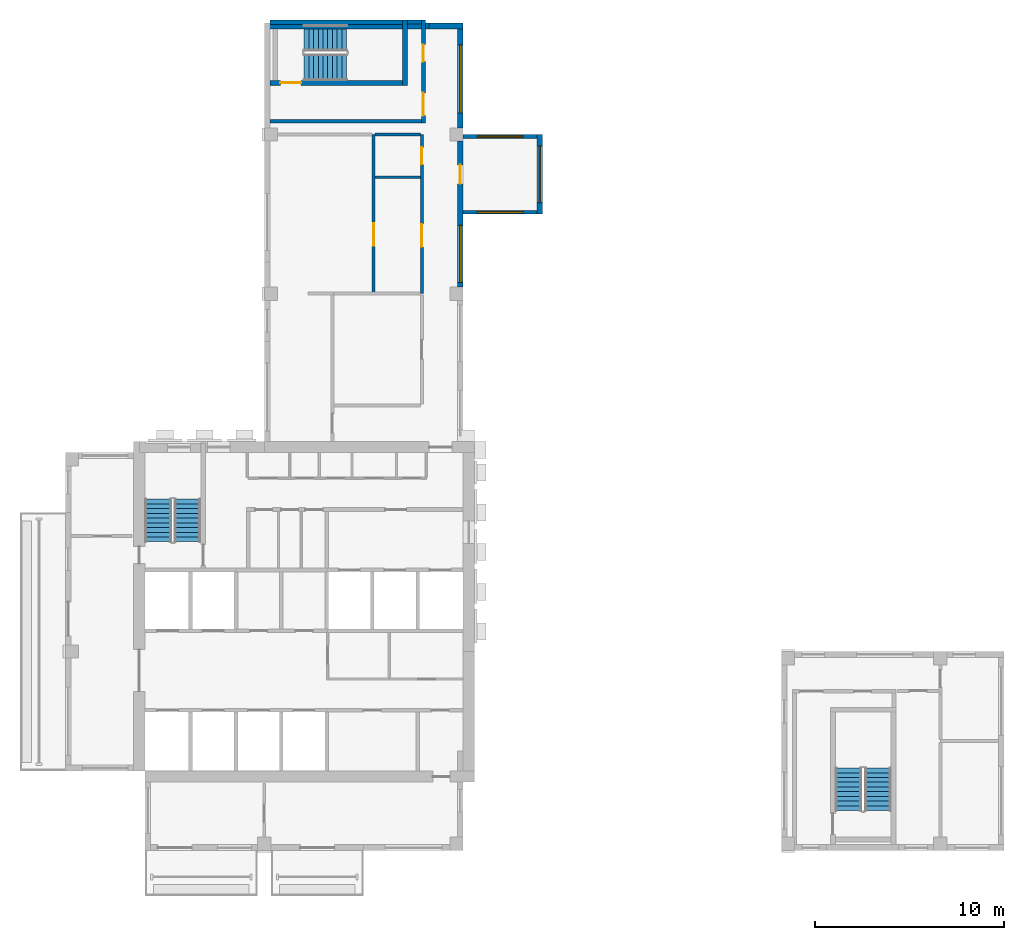
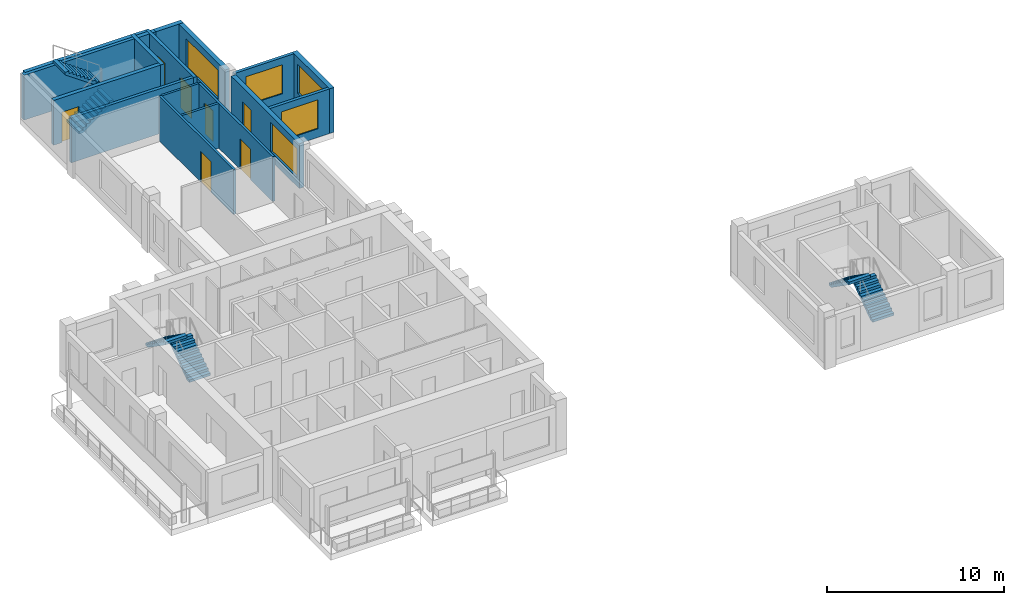
# One storey, part 5 of 9: 17 walls, 7 doors, 6 stair flights, 5 windows, 12 openings, 3 elements without a shape of their own.
"""IFC4 building model written with IfcOpenShell, lengths in metres."""

from ifc_helpers import new_model, si_unit, direction, frame, frame_2d, origin, place, context, subcontext, project, spatial, polyline, rectangle, outline, extrude, source, transform, mapped, material, layer, layer_set, type_object, element, fill, aggregate, save


model = new_model("IFC4")

# Units and contexts
model_context = context("Model", 3, precision=1e-05, world=origin(), true_north=direction((0.0, 1.0)))
body_context = subcontext(model_context, "Body", "Model", "MODEL_VIEW")
ifc_project = project(units=[si_unit("LENGTHUNIT", "METRE"), si_unit("AREAUNIT", "SQUARE_METRE"), si_unit("VOLUMEUNIT", "CUBIC_METRE"), si_unit("PLANEANGLEUNIT", "RADIAN"), si_unit("MASSUNIT", "GRAM", prefix="KILO")], contexts=[model_context])

# Site, building, storey
site_placement = place(None, origin())
site = spatial("IfcSite", under=ifc_project, at=site_placement, CompositionType="ELEMENT")
building_placement = place(site_placement, origin())
building = spatial("IfcBuilding", under=site, at=building_placement, Name="Aurelian Terraces", CompositionType="ELEMENT")
storey_placement = place(building_placement, frame((0.0, 0.0, 298.5)))
storey = spatial("IfcBuildingStorey", under=building, at=storey_placement, Name="L68", CompositionType="ELEMENT", Elevation=298.5)

# Wall, opening, window
ifc_material_1 = material(Name="Concrete fc' 40 MPa", Category="concrete")
ifc_layer_1 = layer(ifc_material_1, 0.3)
ifc_layer_set_1 = layer_set([ifc_layer_1], Name="BOX BEARING WALL 300")
wall_type_1 = type_object("IfcWallType", Name="BOX BEARING WALL 300", PredefinedType="SOLIDWALL", material=ifc_layer_set_1)
wall_1_placement = place(storey_placement, frame((25.05, 33.6, 0.0), z_axis=(0.0, 0.0, 1.0), x_axis=(0.0, 1.0, 0.0)))
wall_1 = element("IfcWall", 1, at=wall_1_placement, inside=storey, type_object=wall_type_1, Name="Box wall L68 J90", PredefinedType="SOLIDWALL", context=body_context, shape_type="SweptSolid", body=[
    extrude(rectangle(XDim=4.2, YDim=0.3, at=frame_2d((2.1, 0.0))), origin(), (0.0, 0.0, 1.0), 3.09),
])
shared_shape_1 = source(origin(), body_context, "Body", "SweptSolid", [
    extrude(rectangle(XDim=3.0, YDim=2.0, at=frame_2d((1.5, 1.0))), frame((0.0, 0.16, 0.0), z_axis=(0.0, -1.0, 0.0), x_axis=(1.0, 0.0, 0.0)), (0.0, 0.0, 1.0), 0.32),
])
opening_1_placement = place(wall_1_placement, frame((0.6, 0.0, 0.6)))
opening_1 = element("IfcOpeningElement", 2, at=opening_1_placement, cuts=wall_1, Name="Opening W3020", PredefinedType="OPENING", context=body_context, shape_type="MappedRepresentation", body=[
    mapped(shared_shape_1, transform((0.0, 0.0, 0.0), scale=1.0)),
])
ifc_material_2 = material(Name="Clear glazing", Category="glass")
window_type_1 = type_object("IfcWindowType", Name="W-3000x2000", PartitioningType="SINGLE_PANEL", PredefinedType="WINDOW", material=ifc_material_2)
shared_shape_2 = source(origin(), body_context, "Body", "SweptSolid", [
    extrude(rectangle(XDim=3.0, YDim=2.0, at=frame_2d((1.5, 1.0))), frame((0.0, 0.03, 0.0), z_axis=(0.0, -1.0, 0.0), x_axis=(1.0, 0.0, 0.0)), (0.0, 0.0, 1.0), 0.06),
])
window_1_placement = place(opening_1_placement, origin())
window_1 = element("IfcWindow", 3, at=window_1_placement, inside=storey, type_object=window_type_1, Name="Window L68 J90-F1", OverallHeight=2.0, OverallWidth=3.0, PartitioningType="SINGLE_PANEL", PredefinedType="WINDOW", context=body_context, shape_type="MappedRepresentation", body=[
    mapped(shared_shape_2, transform((0.0, 0.0, 0.0), scale=1.0)),
])
fill(opening_1, window_1)

# Wall, openings, window, door
ifc_material_3 = material(Name="Terracotta rainscreen cladding", Category="masonry")
ifc_layer_2 = layer(ifc_material_3, 0.3)
ifc_layer_set_2 = layer_set([ifc_layer_2], Name="EW-300")
wall_type_2 = type_object("IfcWallType", Name="EW-300", PredefinedType="STANDARD", material=ifc_layer_set_2)
shared_shape_3 = source(origin(), body_context, "Body", "SweptSolid", [
    extrude(rectangle(XDim=7.7, YDim=0.3, at=frame_2d((3.85, 0.0))), origin(), (0.0, 0.0, 1.0), 3.1),
])
wall_2_placement = place(storey_placement, frame((20.85, 29.75, 0.0), z_axis=(0.0, 0.0, 1.0), x_axis=(0.0, 1.0, 0.0)))
wall_2 = element("IfcWall", 4, at=wall_2_placement, inside=storey, type_object=wall_type_2, Name="External wall L68 F02.8", PredefinedType="STANDARD", context=body_context, shape_type="MappedRepresentation", body=[
    mapped(shared_shape_3, transform((0.0, 0.0, 0.0), scale=1.0)),
])
opening_2_placement = place(wall_2_placement, frame((0.25, 0.0, 0.6)))
opening_2 = element("IfcOpeningElement", 5, at=opening_2_placement, cuts=wall_2, Name="Opening W3020", PredefinedType="OPENING", context=body_context, shape_type="MappedRepresentation", body=[
    mapped(shared_shape_1, transform((0.0, 0.0, 0.0), scale=1.0)),
])
shared_shape_4 = source(origin(), body_context, "Body", "SweptSolid", [
    extrude(rectangle(XDim=1.0, YDim=2.1, at=frame_2d((0.5, 1.05))), frame((0.0, 0.16, 0.0), z_axis=(0.0, -1.0, 0.0), x_axis=(1.0, 0.0, 0.0)), (0.0, 0.0, 1.0), 0.32),
])
opening_3_placement = place(wall_2_placement, frame((5.45, 0.0, 0.0)))
opening_3 = element("IfcOpeningElement", 6, at=opening_3_placement, cuts=wall_2, Name="Opening 868001", PredefinedType="OPENING", context=body_context, shape_type="MappedRepresentation", body=[
    mapped(shared_shape_4, transform((0.0, 0.0, 0.0), scale=1.0)),
])
window_2_placement = place(opening_2_placement, origin())
window_2 = element("IfcWindow", 7, at=window_2_placement, inside=storey, type_object=window_type_1, Name="Window L68 L68-F02-08-0", OverallHeight=2.0, OverallWidth=3.0, PartitioningType="SINGLE_PANEL", PredefinedType="WINDOW", context=body_context, shape_type="MappedRepresentation", body=[
    mapped(shared_shape_2, transform((0.0, 0.0, 0.0), scale=1.0)),
])
fill(opening_2, window_2)
ifc_material_4 = material(Name="Timber door leaf", Category="wood")
door_type_1 = type_object("IfcDoorType", Name="Room door 1000x2100 left", OperationType="SINGLE_SWING_LEFT", PredefinedType="DOOR", material=ifc_material_4)
shared_shape_5 = source(origin(), body_context, "Body", "SweptSolid", [
    extrude(rectangle(XDim=1.0, YDim=2.1, at=frame_2d((0.5, 1.05))), frame((0.0, 0.025, 0.0), z_axis=(0.0, -1.0, 0.0), x_axis=(1.0, 0.0, 0.0)), (0.0, 0.0, 1.0), 0.05),
])
door_1_placement = place(opening_3_placement, origin())
door_1 = element("IfcDoor", 8, at=door_1_placement, inside=storey, type_object=door_type_1, Name="Door 868001", OperationType="SINGLE_SWING_LEFT", OverallHeight=2.1, OverallWidth=1.0, PredefinedType="DOOR", context=body_context, shape_type="MappedRepresentation", body=[
    mapped(shared_shape_5, transform((0.0, 0.0, 0.0), scale=1.0)),
])
fill(opening_3, door_1)

# Wall, opening, window
ifc_layer_3 = layer(ifc_material_1, 0.2)
ifc_layer_set_3 = layer_set([ifc_layer_3], Name="BOX BEARING WALL 200")
wall_type_3 = type_object("IfcWallType", Name="BOX BEARING WALL 200", PredefinedType="SOLIDWALL", material=ifc_layer_set_3)
shared_shape_6 = source(origin(), body_context, "Body", "SweptSolid", [
    extrude(rectangle(XDim=3.9, YDim=0.2, at=frame_2d((1.95, 0.0))), origin(), (0.0, 0.0, 1.0), 3.09),
])
wall_3_placement = place(storey_placement, frame((21.0, 33.7, 0.0), z_axis=(0.0, 0.0, 1.0), x_axis=(1.0, 0.0, 0.0)))
wall_3 = element("IfcWall", 9, at=wall_3_placement, inside=storey, type_object=wall_type_3, Name="Box return L68 J90.1", PredefinedType="SOLIDWALL", context=body_context, shape_type="MappedRepresentation", body=[
    mapped(shared_shape_6, transform((0.0, 0.0, 0.0), scale=1.0)),
])
shared_shape_7 = source(origin(), body_context, "Body", "SweptSolid", [
    extrude(rectangle(XDim=2.4, YDim=2.0, at=frame_2d((1.2, 1.0))), frame((0.0, 0.11, 0.0), z_axis=(0.0, -1.0, 0.0), x_axis=(1.0, 0.0, 0.0)), (0.0, 0.0, 1.0), 0.22),
])
opening_4_placement = place(wall_3_placement, frame((0.75, 0.0, 0.6)))
opening_4 = element("IfcOpeningElement", 10, at=opening_4_placement, cuts=wall_3, Name="Opening W2420", PredefinedType="OPENING", context=body_context, shape_type="MappedRepresentation", body=[
    mapped(shared_shape_7, transform((0.0, 0.0, 0.0), scale=1.0)),
])
window_type_2 = type_object("IfcWindowType", Name="W-2400x2000", PartitioningType="SINGLE_PANEL", PredefinedType="WINDOW", material=ifc_material_2)
shared_shape_8 = source(origin(), body_context, "Body", "SweptSolid", [
    extrude(rectangle(XDim=2.4, YDim=2.0, at=frame_2d((1.2, 1.0))), frame((0.0, 0.03, 0.0), z_axis=(0.0, -1.0, 0.0), x_axis=(1.0, 0.0, 0.0)), (0.0, 0.0, 1.0), 0.06),
])
window_3_placement = place(opening_4_placement, origin())
window_3 = element("IfcWindow", 11, at=window_3_placement, inside=storey, type_object=window_type_2, Name="Window L68 J90-S1", OverallHeight=2.0, OverallWidth=2.4, PartitioningType="SINGLE_PANEL", PredefinedType="WINDOW", context=body_context, shape_type="MappedRepresentation", body=[
    mapped(shared_shape_8, transform((0.0, 0.0, 0.0), scale=1.0)),
])
fill(opening_4, window_3)

wall_4_placement = place(storey_placement, frame((21.0, 37.7, 0.0), z_axis=(0.0, 0.0, 1.0), x_axis=(1.0, 0.0, 0.0)))
wall_4 = element("IfcWall", 12, at=wall_4_placement, inside=storey, type_object=wall_type_3, Name="Box return L68 J90.2", PredefinedType="SOLIDWALL", context=body_context, shape_type="MappedRepresentation", body=[
    mapped(shared_shape_6, transform((0.0, 0.0, 0.0), scale=1.0)),
])
opening_5_placement = place(wall_4_placement, frame((0.75, 0.0, 0.6)))
opening_5 = element("IfcOpeningElement", 13, at=opening_5_placement, cuts=wall_4, Name="Opening W2420", PredefinedType="OPENING", context=body_context, shape_type="MappedRepresentation", body=[
    mapped(shared_shape_7, transform((0.0, 0.0, 0.0), scale=1.0)),
])
window_4_placement = place(opening_5_placement, origin())
window_4 = element("IfcWindow", 14, at=window_4_placement, inside=storey, type_object=window_type_2, Name="Window L68 J90-S2", OverallHeight=2.0, OverallWidth=2.4, PartitioningType="SINGLE_PANEL", PredefinedType="WINDOW", context=body_context, shape_type="MappedRepresentation", body=[
    mapped(shared_shape_8, transform((0.0, 0.0, 0.0), scale=1.0)),
])
fill(opening_5, window_4)

shared_shape_9 = source(origin(), body_context, "Body", "SweptSolid", [
    extrude(rectangle(XDim=5.53, YDim=0.3, at=frame_2d((2.765, 0.0))), origin(), (0.0, 0.0, 1.0), 3.1),
])
wall_5_placement = place(storey_placement, frame((20.85, 38.15, 0.0), z_axis=(0.0, 0.0, 1.0), x_axis=(0.0, 1.0, 0.0)))
wall_5 = element("IfcWall", 15, at=wall_5_placement, inside=storey, type_object=wall_type_2, Name="External wall L68 F02.9", PredefinedType="STANDARD", context=body_context, shape_type="MappedRepresentation", body=[
    mapped(shared_shape_9, transform((0.0, 0.0, 0.0), scale=1.0)),
])
shared_shape_10 = source(origin(), body_context, "Body", "SweptSolid", [
    extrude(rectangle(XDim=3.6, YDim=2.0, at=frame_2d((1.8, 1.0))), frame((0.0, 0.16, 0.0), z_axis=(0.0, -1.0, 0.0), x_axis=(1.0, 0.0, 0.0)), (0.0, 0.0, 1.0), 0.32),
])
opening_6_placement = place(wall_5_placement, frame((0.79, 0.0, 0.6)))
opening_6 = element("IfcOpeningElement", 16, at=opening_6_placement, cuts=wall_5, Name="Opening W3620", PredefinedType="OPENING", context=body_context, shape_type="MappedRepresentation", body=[
    mapped(shared_shape_10, transform((0.0, 0.0, 0.0), scale=1.0)),
])
window_type_3 = type_object("IfcWindowType", Name="W-3600x2000", PartitioningType="SINGLE_PANEL", PredefinedType="WINDOW", material=ifc_material_2)
shared_shape_11 = source(origin(), body_context, "Body", "SweptSolid", [
    extrude(rectangle(XDim=3.6, YDim=2.0, at=frame_2d((1.8, 1.0))), frame((0.0, 0.03, 0.0), z_axis=(0.0, -1.0, 0.0), x_axis=(1.0, 0.0, 0.0)), (0.0, 0.0, 1.0), 0.06),
])
window_5_placement = place(opening_6_placement, origin())
window_5 = element("IfcWindow", 17, at=window_5_placement, inside=storey, type_object=window_type_3, Name="Window L68 L68-F02-09-0", OverallHeight=2.0, OverallWidth=3.6, PartitioningType="SINGLE_PANEL", PredefinedType="WINDOW", context=body_context, shape_type="MappedRepresentation", body=[
    mapped(shared_shape_11, transform((0.0, 0.0, 0.0), scale=1.0)),
])
fill(opening_6, window_5)

# Walls
shared_shape_12 = source(origin(), body_context, "Body", "SweptSolid", [
    extrude(rectangle(XDim=1.8, YDim=0.3, at=frame_2d((0.9, 0.0))), origin(), (0.0, 0.0, 1.0), 3.1),
])
wall_6_placement = place(storey_placement, frame((21.0, 43.53, 0.0), z_axis=(0.0, 0.0, 1.0), x_axis=(-1.0, 0.0, 0.0)))
element("IfcWall", 18, at=wall_6_placement, inside=storey, type_object=wall_type_2, Name="External wall L68 F03.10", PredefinedType="STANDARD", context=body_context, shape_type="MappedRepresentation", body=[
    mapped(shared_shape_12, transform((0.0, 0.0, 0.0), scale=1.0)),
])
ifc_layer_4 = layer(ifc_material_1, 0.3)
ifc_layer_set_4 = layer_set([ifc_layer_4], Name="STAIR BAY WALL 300")
wall_type_4 = type_object("IfcWallType", Name="STAIR BAY WALL 300", PredefinedType="SOLIDWALL", material=ifc_layer_set_4)
shared_shape_13 = source(origin(), body_context, "Body", "SweptSolid", [
    extrude(rectangle(XDim=8.6, YDim=0.3, at=frame_2d((4.3, 0.0))), origin(), (0.0, 0.0, 1.0), 3.1),
])
wall_7_placement = place(storey_placement, frame((19.2, 43.53, 0.0), z_axis=(0.0, 0.0, 1.0), x_axis=(-1.0, 0.0, 0.0)))
element("IfcWall", 19, at=wall_7_placement, inside=storey, type_object=wall_type_4, Name="Stair bay wall L68 F03.10", PredefinedType="SOLIDWALL", context=body_context, shape_type="MappedRepresentation", body=[
    mapped(shared_shape_13, transform((0.0, 0.0, 0.0), scale=1.0)),
])

# Wall, opening, door
ifc_layer_5 = layer(ifc_material_1, 0.25)
ifc_layer_set_5 = layer_set([ifc_layer_5], Name="Stair enclosure wall 250")
wall_type_5 = type_object("IfcWallType", Name="Stair enclosure wall 250", PredefinedType="SOLIDWALL", material=ifc_layer_set_5)
shared_shape_14 = source(origin(), body_context, "Body", "SweptSolid", [
    extrude(rectangle(XDim=7.0, YDim=0.25, at=frame_2d((3.5, 0.0))), origin(), (0.0, 0.0, 1.0), 3.1),
])
wall_8_placement = place(storey_placement, frame((10.8, 40.525, 0.0), z_axis=(0.0, 0.0, 1.0), x_axis=(1.0, 0.0, 0.0)))
wall_8 = element("IfcWall", 20, at=wall_8_placement, inside=storey, type_object=wall_type_5, Name="L68 core wall ST-S3U-W", PredefinedType="SOLIDWALL", context=body_context, shape_type="MappedRepresentation", body=[
    mapped(shared_shape_14, transform((0.0, 0.0, 0.0), scale=1.0)),
])
shared_shape_15 = source(origin(), body_context, "Body", "SweptSolid", [
    extrude(rectangle(XDim=1.1, YDim=2.1, at=frame_2d((0.55, 1.05))), frame((0.0, 0.135, 0.0), z_axis=(0.0, -1.0, 0.0), x_axis=(1.0, 0.0, 0.0)), (0.0, 0.0, 1.0), 0.27),
])
opening_7_placement = place(wall_8_placement, frame((0.55, 0.0, 0.0)))
opening_7 = element("IfcOpeningElement", 21, at=opening_7_placement, cuts=wall_8, Name="Opening 67128", PredefinedType="OPENING", context=body_context, shape_type="MappedRepresentation", body=[
    mapped(shared_shape_15, transform((0.0, 0.0, 0.0), scale=1.0)),
])
ifc_material_5 = material(Name="Steel door leaf", Category="steel")
door_type_2 = type_object("IfcDoorType", Name="Core fire door 1100x2100 right", OperationType="SINGLE_SWING_RIGHT", PredefinedType="DOOR", material=ifc_material_5)
shared_shape_16 = source(origin(), body_context, "Body", "SweptSolid", [
    extrude(rectangle(XDim=1.1, YDim=2.1, at=frame_2d((0.55, 1.05))), frame((0.0, 0.025, 0.0), z_axis=(0.0, -1.0, 0.0), x_axis=(1.0, 0.0, 0.0)), (0.0, 0.0, 1.0), 0.05),
])
door_2_placement = place(opening_7_placement, origin())
door_2 = element("IfcDoor", 22, at=door_2_placement, inside=storey, type_object=door_type_2, Name="Stair door 67128", OperationType="SINGLE_SWING_RIGHT", OverallHeight=2.1, OverallWidth=1.1, PredefinedType="DOOR", context=body_context, shape_type="MappedRepresentation", body=[
    mapped(shared_shape_16, transform((0.0, 0.0, 0.0), scale=1.0)),
])
fill(opening_7, door_2)

# Walls
wall_9_placement = place(storey_placement, frame((10.8, 43.725, 0.0), z_axis=(0.0, 0.0, 1.0), x_axis=(1.0, 0.0, 0.0)))
element("IfcWall", 23, at=wall_9_placement, inside=storey, type_object=wall_type_5, Name="L68 core wall ST-S3U-E", PredefinedType="SOLIDWALL", context=body_context, shape_type="MappedRepresentation", body=[
    mapped(shared_shape_14, transform((0.0, 0.0, 0.0), scale=1.0)),
])
shared_shape_17 = source(origin(), body_context, "Body", "SweptSolid", [
    extrude(rectangle(XDim=3.45, YDim=0.25, at=frame_2d((1.725, 0.0))), origin(), (0.0, 0.0, 1.0), 3.1),
])
wall_10_placement = place(storey_placement, frame((17.925, 40.4, 0.0), z_axis=(0.0, 0.0, 1.0), x_axis=(0.0, 1.0, 0.0)))
element("IfcWall", 24, at=wall_10_placement, inside=storey, type_object=wall_type_5, Name="L68 core wall ST-S3U-N", PredefinedType="SOLIDWALL", context=body_context, shape_type="MappedRepresentation", body=[
    mapped(shared_shape_17, transform((0.0, 0.0, 0.0), scale=1.0)),
])
ifc_material_6 = material(Name="Gypsum board on steel studs", Category="steel")
ifc_layer_6 = layer(ifc_material_6, 0.2)
ifc_layer_set_6 = layer_set([ifc_layer_6], Name="Core partition 200")
wall_type_6 = type_object("IfcWallType", Name="Core partition 200", PredefinedType="PARTITIONING", material=ifc_layer_set_6)
shared_shape_18 = source(origin(), body_context, "Body", "SweptSolid", [
    extrude(rectangle(XDim=8.0, YDim=0.2, at=frame_2d((4.0, 0.0))), origin(), (0.0, 0.0, 1.0), 3.1),
])
wall_11_placement = place(storey_placement, frame((10.8, 38.5, 0.0), z_axis=(0.0, 0.0, 1.0), x_axis=(1.0, 0.0, 0.0)))
element("IfcWall", 25, at=wall_11_placement, inside=storey, type_object=wall_type_6, Name="L68 core wall ST-S3U-VW", PredefinedType="PARTITIONING", context=body_context, shape_type="MappedRepresentation", body=[
    mapped(shared_shape_18, transform((0.0, 0.0, 0.0), scale=1.0)),
])

# Wall, openings, doors
shared_shape_19 = source(origin(), body_context, "Body", "SweptSolid", [
    extrude(rectangle(XDim=5.45, YDim=0.2, at=frame_2d((2.725, 0.0))), origin(), (0.0, 0.0, 1.0), 3.1),
])
wall_12_placement = place(storey_placement, frame((18.9, 38.4, 0.0), z_axis=(0.0, 0.0, 1.0), x_axis=(0.0, 1.0, 0.0)))
wall_12 = element("IfcWall", 26, at=wall_12_placement, inside=storey, type_object=wall_type_6, Name="L68 core wall ST-S3U-BN", PredefinedType="PARTITIONING", context=body_context, shape_type="MappedRepresentation", body=[
    mapped(shared_shape_19, transform((0.0, 0.0, 0.0), scale=1.0)),
])
shared_shape_20 = source(origin(), body_context, "Body", "SweptSolid", [
    extrude(rectangle(XDim=1.2, YDim=2.1, at=frame_2d((0.6, 1.05))), frame((0.0, 0.11, 0.0), z_axis=(0.0, -1.0, 0.0), x_axis=(1.0, 0.0, 0.0)), (0.0, 0.0, 1.0), 0.22),
])
opening_8_placement = place(wall_12_placement, frame((0.4, 0.0, 0.0)))
opening_8 = element("IfcOpeningElement", 27, at=opening_8_placement, cuts=wall_12, Name="Opening 67129", PredefinedType="OPENING", context=body_context, shape_type="MappedRepresentation", body=[
    mapped(shared_shape_20, transform((0.0, 0.0, 0.0), scale=1.0)),
])
shared_shape_21 = source(origin(), body_context, "Body", "SweptSolid", [
    extrude(rectangle(XDim=0.9, YDim=2.1, at=frame_2d((0.45, 1.05))), frame((0.0, 0.11, 0.0), z_axis=(0.0, -1.0, 0.0), x_axis=(1.0, 0.0, 0.0)), (0.0, 0.0, 1.0), 0.22),
])
opening_9_placement = place(wall_12_placement, frame((3.25, 0.0, 0.0)))
opening_9 = element("IfcOpeningElement", 28, at=opening_9_placement, cuts=wall_12, Name="Opening 67130", PredefinedType="OPENING", context=body_context, shape_type="MappedRepresentation", body=[
    mapped(shared_shape_21, transform((0.0, 0.0, 0.0), scale=1.0)),
])
door_type_3 = type_object("IfcDoorType", Name="Core riser door 900x2100 right", OperationType="SINGLE_SWING_RIGHT", PredefinedType="DOOR", material=ifc_material_5)
shared_shape_22 = source(origin(), body_context, "Body", "SweptSolid", [
    extrude(rectangle(XDim=0.9, YDim=2.1, at=frame_2d((0.45, 1.05))), frame((0.0, 0.025, 0.0), z_axis=(0.0, -1.0, 0.0), x_axis=(1.0, 0.0, 0.0)), (0.0, 0.0, 1.0), 0.05),
])
door_3_placement = place(opening_9_placement, origin())
door_3 = element("IfcDoor", 29, at=door_3_placement, inside=storey, type_object=door_type_3, Name="Riser door 67130", OperationType="SINGLE_SWING_RIGHT", OverallHeight=2.1, OverallWidth=0.9, PredefinedType="DOOR", context=body_context, shape_type="MappedRepresentation", body=[
    mapped(shared_shape_22, transform((0.0, 0.0, 0.0), scale=1.0)),
])
fill(opening_9, door_3)
door_type_4 = type_object("IfcDoorType", Name="Core fire door 1200x2100", OperationType="SINGLE_SWING_LEFT", PredefinedType="DOOR", material=ifc_material_5)
shared_shape_23 = source(origin(), body_context, "Body", "SweptSolid", [
    extrude(rectangle(XDim=1.2, YDim=2.1, at=frame_2d((0.6, 1.05))), frame((0.0, 0.025, 0.0), z_axis=(0.0, -1.0, 0.0), x_axis=(1.0, 0.0, 0.0)), (0.0, 0.0, 1.0), 0.05),
])
door_4_placement = place(opening_8_placement, origin())
door_4 = element("IfcDoor", 30, at=door_4_placement, inside=storey, type_object=door_type_4, Name="Vestibule door 67129", OperationType="SINGLE_SWING_LEFT", OverallHeight=2.1, OverallWidth=1.2, PredefinedType="DOOR", context=body_context, shape_type="MappedRepresentation", body=[
    mapped(shared_shape_23, transform((0.0, 0.0, 0.0), scale=1.0)),
])
fill(opening_8, door_4)

# Wall
shared_shape_24 = source(origin(), body_context, "Body", "SweptSolid", [
    extrude(rectangle(XDim=0.75, YDim=0.2, at=frame_2d((0.375, 0.0))), origin(), (0.0, 0.0, 1.0), 3.1),
])
wall_13_placement = place(storey_placement, frame((18.05, 43.75, 0.0), z_axis=(0.0, 0.0, 1.0), x_axis=(1.0, 0.0, 0.0)))
element("IfcWall", 31, at=wall_13_placement, inside=storey, type_object=wall_type_6, Name="L68 core wall ST-S3U-RE", PredefinedType="PARTITIONING", context=body_context, shape_type="MappedRepresentation", body=[
    mapped(shared_shape_24, transform((0.0, 0.0, 0.0), scale=1.0)),
])

# Wall, opening, door
ifc_layer_7 = layer(ifc_material_6, 0.15)
ifc_layer_set_7 = layer_set([ifc_layer_7], Name="Partition 150")
wall_type_7 = type_object("IfcWallType", Name="Partition 150", PredefinedType="PARTITIONING", material=ifc_layer_set_7)
shared_shape_25 = source(origin(), body_context, "Body", "SweptSolid", [
    extrude(rectangle(XDim=8.4, YDim=0.15, at=frame_2d((4.2, 0.0))), origin(), (0.0, 0.0, 1.0), 3.1),
])
wall_14_placement = place(storey_placement, frame((16.275, 29.4, 0.0), z_axis=(0.0, 0.0, 1.0), x_axis=(0.0, 1.0, 0.0)))
wall_14 = element("IfcWall", 32, at=wall_14_placement, inside=storey, type_object=wall_type_7, Name="Partition", PredefinedType="PARTITIONING", context=body_context, shape_type="MappedRepresentation", body=[
    mapped(shared_shape_25, transform((0.0, 0.0, 0.0), scale=1.0)),
])
shared_shape_26 = source(origin(), body_context, "Body", "SweptSolid", [
    extrude(rectangle(XDim=1.2, YDim=2.1, at=frame_2d((0.6, 1.05))), frame((0.0, 0.085, 0.0), z_axis=(0.0, -1.0, 0.0), x_axis=(1.0, 0.0, 0.0)), (0.0, 0.0, 1.0), 0.17),
])
opening_10_placement = place(wall_14_placement, frame((2.5242, 0.0, 0.0)))
opening_10 = element("IfcOpeningElement", 33, at=opening_10_placement, cuts=wall_14, Name="Opening 768007", PredefinedType="OPENING", context=body_context, shape_type="MappedRepresentation", body=[
    mapped(shared_shape_26, transform((0.0, 0.0, 0.0), scale=1.0)),
])
door_type_5 = type_object("IfcDoorType", Name="Room door 1200x2100 right", OperationType="SINGLE_SWING_RIGHT", PredefinedType="DOOR", material=ifc_material_4)
door_5_placement = place(opening_10_placement, origin())
door_5 = element("IfcDoor", 34, at=door_5_placement, inside=storey, type_object=door_type_5, Name="Door 768007", OperationType="SINGLE_SWING_RIGHT", OverallHeight=2.1, OverallWidth=1.2, PredefinedType="DOOR", context=body_context, shape_type="MappedRepresentation", body=[
    mapped(shared_shape_23, transform((0.0, 0.0, 0.0), scale=1.0)),
])
fill(opening_10, door_5)

# Wall, openings, doors
ifc_layer_8 = layer(ifc_material_6, 0.15)
ifc_layer_set_8 = layer_set([ifc_layer_8], Name="Fire partition 150")
wall_type_8 = type_object("IfcWallType", Name="Fire partition 150", PredefinedType="PARTITIONING", material=ifc_layer_set_8)
wall_15_placement = place(storey_placement, frame((18.825, 29.4, 0.0), z_axis=(0.0, 0.0, 1.0), x_axis=(0.0, 1.0, 0.0)))
wall_15 = element("IfcWall", 35, at=wall_15_placement, inside=storey, type_object=wall_type_8, Name="Corridor wall", PredefinedType="PARTITIONING", context=body_context, shape_type="MappedRepresentation", body=[
    mapped(shared_shape_25, transform((0.0, 0.0, 0.0), scale=1.0)),
])
opening_11_placement = place(wall_15_placement, frame((2.4742, 0.0, 0.0)))
opening_11 = element("IfcOpeningElement", 36, at=opening_11_placement, cuts=wall_15, Name="Opening 768006", PredefinedType="OPENING", context=body_context, shape_type="MappedRepresentation", body=[
    mapped(shared_shape_26, transform((0.0, 0.0, 0.0), scale=1.0)),
])
shared_shape_27 = source(origin(), body_context, "Body", "SweptSolid", [
    extrude(rectangle(XDim=0.9, YDim=2.1, at=frame_2d((0.45, 1.05))), frame((0.0, 0.085, 0.0), z_axis=(0.0, -1.0, 0.0), x_axis=(1.0, 0.0, 0.0)), (0.0, 0.0, 1.0), 0.17),
])
opening_12_placement = place(wall_15_placement, frame((6.8242, 0.0, 0.0)))
opening_12 = element("IfcOpeningElement", 37, at=opening_12_placement, cuts=wall_15, Name="Opening 768008", PredefinedType="OPENING", context=body_context, shape_type="MappedRepresentation", body=[
    mapped(shared_shape_27, transform((0.0, 0.0, 0.0), scale=1.0)),
])
door_type_6 = type_object("IfcDoorType", Name="Entrance fire door 900x2100 left", OperationType="SINGLE_SWING_LEFT", PredefinedType="DOOR", material=ifc_material_5)
door_6_placement = place(opening_12_placement, origin())
door_6 = element("IfcDoor", 38, at=door_6_placement, inside=storey, type_object=door_type_6, Name="Door 768008", OperationType="SINGLE_SWING_LEFT", OverallHeight=2.1, OverallWidth=0.9, PredefinedType="DOOR", context=body_context, shape_type="MappedRepresentation", body=[
    mapped(shared_shape_22, transform((0.0, 0.0, 0.0), scale=1.0)),
])
fill(opening_12, door_6)
door_type_7 = type_object("IfcDoorType", Name="Entrance fire door 1200x2100 left", OperationType="SINGLE_SWING_LEFT", PredefinedType="DOOR", material=ifc_material_5)
door_7_placement = place(opening_11_placement, origin())
door_7 = element("IfcDoor", 39, at=door_7_placement, inside=storey, type_object=door_type_7, Name="Door 768006", OperationType="SINGLE_SWING_LEFT", OverallHeight=2.1, OverallWidth=1.2, PredefinedType="DOOR", context=body_context, shape_type="MappedRepresentation", body=[
    mapped(shared_shape_23, transform((0.0, 0.0, 0.0), scale=1.0)),
])
fill(opening_11, door_7)

# Walls
shared_shape_28 = source(origin(), body_context, "Body", "SweptSolid", [
    extrude(rectangle(XDim=2.4, YDim=0.15, at=frame_2d((1.2, 0.0))), origin(), (0.0, 0.0, 1.0), 3.1),
])
wall_16_placement = place(storey_placement, frame((18.75, 35.5483, 0.0), z_axis=(0.0, 0.0, 1.0), x_axis=(-1.0, 0.0, 0.0)))
element("IfcWall", 40, at=wall_16_placement, inside=storey, type_object=wall_type_7, Name="Partition", PredefinedType="PARTITIONING", context=body_context, shape_type="MappedRepresentation", body=[
    mapped(shared_shape_28, transform((0.0, 0.0, 0.0), scale=1.0)),
])
wall_17_placement = place(storey_placement, frame((18.75, 37.8, 0.0), z_axis=(0.0, 0.0, 1.0), x_axis=(-1.0, 0.0, 0.0)))
element("IfcWall", 41, at=wall_17_placement, inside=storey, type_object=wall_type_8, Name="Party wall", PredefinedType="PARTITIONING", context=body_context, shape_type="MappedRepresentation", body=[
    mapped(shared_shape_28, transform((0.0, 0.0, 0.0), scale=1.0)),
])

# Stair, stair flights
stair_type = type_object("IfcStairType", Name="Stair 1400", PredefinedType="HALF_TURN_STAIR", material=ifc_material_1)
stair_1_placement = place(storey_placement, origin())
stair_1 = element("IfcStair", 42, at=stair_1_placement, inside=storey, type_object=stair_type, Name="L68 S1", PredefinedType="HALF_TURN_STAIR")
stair_flight_type = type_object("IfcStairFlightType", Name="Stair flight 1400", PredefinedType="STRAIGHT", material=ifc_material_1)
shared_shape_29 = source(origin(), body_context, "Body", "SweptSolid", [
    extrude(outline(polyline([(0.0, 0.0), (0.0, 0.175), (0.25, 0.175), (0.25, 0.35), (0.5, 0.35), (0.5, 0.525), (0.75, 0.525), (0.75, 0.7), (1.0, 0.7), (1.0, 0.875), (1.25, 0.875), (1.25, 1.05), (1.5, 1.05), (1.5, 1.225), (1.75, 1.225), (1.75, 1.4), (2.0, 1.4), (2.0, 1.575), (2.25, 1.575), (2.25, 1.75), (2.25, 1.3919), (0.2616, 0.0), (0.0, 0.0)])), frame((0.0, 0.7, 0.0), z_axis=(0.0, -1.0, 0.0), x_axis=(1.0, 0.0, 0.0)), (0.0, 0.0, 1.0), 1.4),
])
stair_flight_1_placement = place(storey_placement, frame((6.45, 16.3, 2e-08), z_axis=(0.0, 0.0, 1.0), x_axis=(0.0, 1.0, 0.0)))
stair_flight_1 = element("IfcStairFlight", 43, at=stair_flight_1_placement, type_object=stair_flight_type, Name="S1 flight 1", NumberOfRisers=10, NumberOfTreads=9, PredefinedType="STRAIGHT", RiserHeight=0.175, TreadLength=0.25, context=body_context, shape_type="MappedRepresentation", body=[
    mapped(shared_shape_29, transform((0.0, 0.0, 0.0), scale=1.0)),
])
stair_flight_2_placement = place(storey_placement, frame((4.9, 18.55, 1.75000002), z_axis=(0.0, 0.0, 1.0), x_axis=(0.0, -1.0, 0.0)))
stair_flight_2 = element("IfcStairFlight", 44, at=stair_flight_2_placement, type_object=stair_flight_type, Name="S1 flight 2", NumberOfRisers=10, NumberOfTreads=9, PredefinedType="STRAIGHT", RiserHeight=0.175, TreadLength=0.25, context=body_context, shape_type="MappedRepresentation", body=[
    mapped(shared_shape_29, transform((0.0, 0.0, 0.0), scale=1.0)),
])
aggregate(stair_1, [stair_flight_1, stair_flight_2])

stair_2_placement = place(storey_placement, origin())
stair_2 = element("IfcStair", 45, at=stair_2_placement, inside=storey, type_object=stair_type, Name="L68 S2", PredefinedType="HALF_TURN_STAIR")
stair_flight_3_placement = place(storey_placement, frame((42.9, 2.1, 2e-08), z_axis=(0.0, 0.0, 1.0), x_axis=(0.0, 1.0, 0.0)))
stair_flight_3 = element("IfcStairFlight", 46, at=stair_flight_3_placement, type_object=stair_flight_type, Name="S2 flight 1", NumberOfRisers=10, NumberOfTreads=9, PredefinedType="STRAIGHT", RiserHeight=0.175, TreadLength=0.25, context=body_context, shape_type="MappedRepresentation", body=[
    mapped(shared_shape_29, transform((0.0, 0.0, 0.0), scale=1.0)),
])
stair_flight_4_placement = place(storey_placement, frame((41.35, 4.35, 1.75000002), z_axis=(0.0, 0.0, 1.0), x_axis=(0.0, -1.0, 0.0)))
stair_flight_4 = element("IfcStairFlight", 47, at=stair_flight_4_placement, type_object=stair_flight_type, Name="S2 flight 2", NumberOfRisers=10, NumberOfTreads=9, PredefinedType="STRAIGHT", RiserHeight=0.175, TreadLength=0.25, context=body_context, shape_type="MappedRepresentation", body=[
    mapped(shared_shape_29, transform((0.0, 0.0, 0.0), scale=1.0)),
])
aggregate(stair_2, [stair_flight_3, stair_flight_4])

stair_3_placement = place(storey_placement, origin())
stair_3 = element("IfcStair", 48, at=stair_3_placement, inside=storey, type_object=stair_type, Name="L68 S3U", PredefinedType="HALF_TURN_STAIR")
stair_flight_5_placement = place(storey_placement, frame((12.6, 41.35, 2e-08), z_axis=(0.0, 0.0, 1.0), x_axis=(1.0, 0.0, 0.0)))
stair_flight_5 = element("IfcStairFlight", 49, at=stair_flight_5_placement, type_object=stair_flight_type, Name="S3U flight 1", NumberOfRisers=10, NumberOfTreads=9, PredefinedType="STRAIGHT", RiserHeight=0.175, TreadLength=0.25, context=body_context, shape_type="MappedRepresentation", body=[
    mapped(shared_shape_29, transform((0.0, 0.0, 0.0), scale=1.0)),
])
stair_flight_6_placement = place(storey_placement, frame((14.85, 42.9, 1.75000002), z_axis=(0.0, 0.0, 1.0), x_axis=(-1.0, 0.0, 0.0)))
stair_flight_6 = element("IfcStairFlight", 50, at=stair_flight_6_placement, type_object=stair_flight_type, Name="S3U flight 2", NumberOfRisers=10, NumberOfTreads=9, PredefinedType="STRAIGHT", RiserHeight=0.175, TreadLength=0.25, context=body_context, shape_type="MappedRepresentation", body=[
    mapped(shared_shape_29, transform((0.0, 0.0, 0.0), scale=1.0)),
])
aggregate(stair_3, [stair_flight_5, stair_flight_6])

save(model, "model.ifc")
